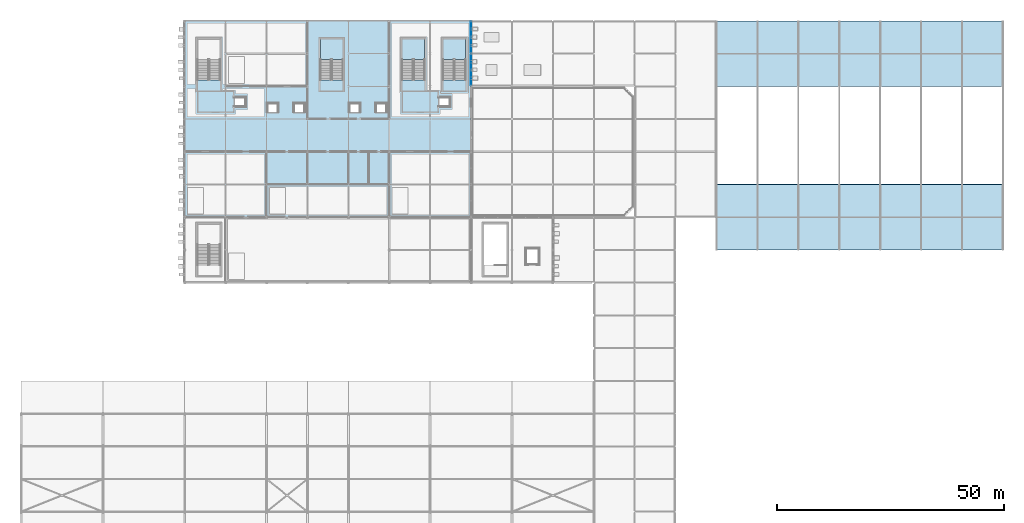
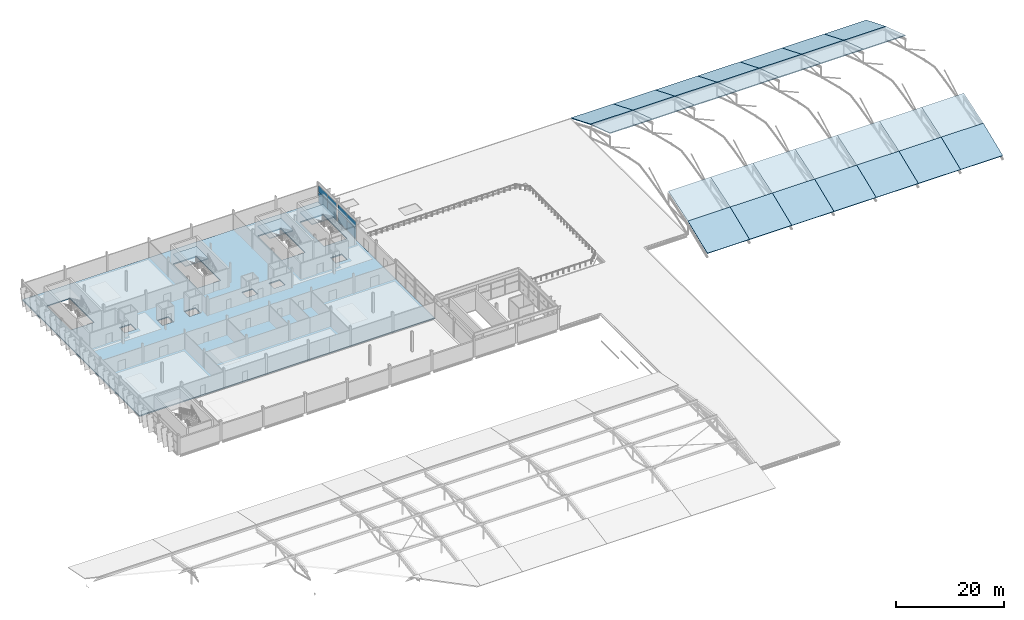
# One storey, part 56 of 78: 32 slabs, 8 plates, 5 elements without a shape of their own.
"""IFC4 building model written with IfcOpenShell, lengths in metres."""

from ifc_helpers import new_model, si_unit, direction, frame, origin, origin_2d, place, context, subcontext, project, spatial, polyline, rectangle, outline, extrude, material, layer, layer_set, type_object, element, aggregate, save


model = new_model("IFC4")

# Units and contexts
model_context = context("Model", 3, precision=1e-05, world=origin(), true_north=direction((0.0, 1.0)))
body_context = subcontext(model_context, "Body", "Model", "MODEL_VIEW")
ifc_project = project(units=[si_unit("LENGTHUNIT", "METRE"), si_unit("AREAUNIT", "SQUARE_METRE"), si_unit("VOLUMEUNIT", "CUBIC_METRE"), si_unit("PLANEANGLEUNIT", "RADIAN"), si_unit("MASSUNIT", "GRAM", prefix="KILO")], contexts=[model_context])

# Site, building, storey
site_placement = place(None, origin())
site = spatial("IfcSite", under=ifc_project, at=site_placement, CompositionType="ELEMENT")
building_placement = place(site_placement, origin())
building = spatial("IfcBuilding", under=site, at=building_placement, Name="Celestram Park Convention Centre", CompositionType="ELEMENT")
storey_placement = place(building_placement, frame((0.0, 0.0, 19.800048828125)))
storey = spatial("IfcBuildingStorey", under=building, at=storey_placement, Name="L04", CompositionType="ELEMENT", Elevation=19.800048828125)

# Curtain wall, plates
ifc_material_1 = material(Name="Anodised Aluminium Alloy 6063-T6", Category="aluminium")
ifc_layer_1 = layer(ifc_material_1, 0.179931640625)
ifc_layer_set_1 = layer_set([ifc_layer_1], Name="Anodised Aluminium Alloy 6063-T6")
curtain_wall_type_1 = type_object("IfcCurtainWallType", Name="ARC-CW-685X390", PredefinedType="NOTDEFINED", material=ifc_layer_set_1)
curtain_wall_1_placement = place(storey_placement, origin())
curtain_wall_1 = element("IfcCurtainWall", 1, at=curtain_wall_1_placement, inside=storey, type_object=curtain_wall_type_1, Name="Unitised curtain wall CU-L04-237", PredefinedType="NOTDEFINED")
ifc_material_2 = material(Name="Insulated Glazing Unit 28 mm", Category="glass")
ifc_layer_2 = layer(ifc_material_2, 0.028076171875)
ifc_layer_set_2 = layer_set([ifc_layer_2], Name="Insulated Glazing Unit 28 mm")
plate_type = type_object("IfcPlateType", Name="ARC-CWP-IGU28", PredefinedType="CURTAIN_PANEL", material=ifc_layer_set_2)
plate_1_placement = place(storey_placement, frame((99.0, 163.69580078125, 0.06005859375), z_axis=(0.0, 0.0, 1.0), x_axis=(0.0, -1.0, 0.0)))
plate_1 = element("IfcPlate", 2, at=plate_1_placement, type_object=plate_type, Name="CW-68X39 panel 1.1", PredefinedType="CURTAIN_PANEL", context=body_context, shape_type="SweptSolid", body=[
    extrude(rectangle(XDim=3.326416015625, YDim=0.028076171875, at=origin_2d()), origin(), (0.0, 0.0, 1.0), 2.251953125),
])
plate_2_placement = place(storey_placement, frame((99.0, 163.69580078125, 2.3720703125), z_axis=(0.0, 0.0, 1.0), x_axis=(0.0, -1.0, 0.0)))
plate_2 = element("IfcPlate", 3, at=plate_2_placement, type_object=plate_type, Name="CW-68X39 panel 1.2", PredefinedType="CURTAIN_PANEL", context=body_context, shape_type="SweptSolid", body=[
    extrude(rectangle(XDim=3.326416015625, YDim=0.028076171875, at=origin_2d()), origin(), (0.0, 0.0, 1.0), 1.471923828125),
])
plate_3_placement = place(storey_placement, frame((99.0, 160.30419921875, 0.06005859375), z_axis=(0.0, 0.0, 1.0), x_axis=(0.0, -1.0, 0.0)))
plate_3 = element("IfcPlate", 4, at=plate_3_placement, type_object=plate_type, Name="CW-68X39 panel 2.1", PredefinedType="CURTAIN_PANEL", context=body_context, shape_type="SweptSolid", body=[
    extrude(rectangle(XDim=3.326416015625, YDim=0.028076171875, at=origin_2d()), origin(), (0.0, 0.0, 1.0), 2.251953125),
])
plate_4_placement = place(storey_placement, frame((99.0, 160.30419921875, 2.3720703125), z_axis=(0.0, 0.0, 1.0), x_axis=(0.0, -1.0, 0.0)))
plate_4 = element("IfcPlate", 5, at=plate_4_placement, type_object=plate_type, Name="CW-68X39 panel 2.2", PredefinedType="CURTAIN_PANEL", context=body_context, shape_type="SweptSolid", body=[
    extrude(rectangle(XDim=3.326416015625, YDim=0.028076171875, at=origin_2d()), origin(), (0.0, 0.0, 1.0), 1.471923828125),
])
aggregate(curtain_wall_1, [plate_1, plate_2, plate_3, plate_4])

ifc_layer_3 = layer(ifc_material_1, 0.179931640625)
ifc_layer_set_3 = layer_set([ifc_layer_3], Name="Anodised Aluminium Alloy 6063-T6")
curtain_wall_type_2 = type_object("IfcCurtainWallType", Name="ARC-CW-685X401", PredefinedType="NOTDEFINED", material=ifc_layer_set_3)
curtain_wall_2_placement = place(storey_placement, origin())
curtain_wall_2 = element("IfcCurtainWall", 6, at=curtain_wall_2_placement, inside=storey, type_object=curtain_wall_type_2, Name="Unitised curtain wall CU-L04-238", PredefinedType="NOTDEFINED")
plate_5_placement = place(storey_placement, frame((99.0, 156.495849609375, 0.06005859375), z_axis=(0.0, 0.0, 1.0), x_axis=(0.0, -1.0, 0.0)))
plate_5 = element("IfcPlate", 7, at=plate_5_placement, type_object=plate_type, Name="CW-68X40 panel 1.1", PredefinedType="CURTAIN_PANEL", context=body_context, shape_type="SweptSolid", body=[
    extrude(rectangle(XDim=3.326416015625, YDim=0.028076171875, at=origin_2d()), origin(), (0.0, 0.0, 1.0), 2.31591796875),
])
plate_6_placement = place(storey_placement, frame((99.0, 156.495849609375, 2.43603515625), z_axis=(0.0, 0.0, 1.0), x_axis=(0.0, -1.0, 0.0)))
plate_6 = element("IfcPlate", 8, at=plate_6_placement, type_object=plate_type, Name="CW-68X40 panel 1.2", PredefinedType="CURTAIN_PANEL", context=body_context, shape_type="SweptSolid", body=[
    extrude(rectangle(XDim=3.326416015625, YDim=0.028076171875, at=origin_2d()), origin(), (0.0, 0.0, 1.0), 1.513916015625),
])
plate_7_placement = place(storey_placement, frame((99.0, 153.104248046875, 0.06005859375), z_axis=(0.0, 0.0, 1.0), x_axis=(0.0, -1.0, 0.0)))
plate_7 = element("IfcPlate", 9, at=plate_7_placement, type_object=plate_type, Name="CW-68X40 panel 2.1", PredefinedType="CURTAIN_PANEL", context=body_context, shape_type="SweptSolid", body=[
    extrude(rectangle(XDim=3.326416015625, YDim=0.028076171875, at=origin_2d()), origin(), (0.0, 0.0, 1.0), 2.31591796875),
])
plate_8_placement = place(storey_placement, frame((99.0, 153.104248046875, 2.43603515625), z_axis=(0.0, 0.0, 1.0), x_axis=(0.0, -1.0, 0.0)))
plate_8 = element("IfcPlate", 10, at=plate_8_placement, type_object=plate_type, Name="CW-68X40 panel 2.2", PredefinedType="CURTAIN_PANEL", context=body_context, shape_type="SweptSolid", body=[
    extrude(rectangle(XDim=3.326416015625, YDim=0.028076171875, at=origin_2d()), origin(), (0.0, 0.0, 1.0), 1.513916015625),
])
aggregate(curtain_wall_2, [plate_5, plate_6, plate_7, plate_8])

# Slabs
ifc_material_3 = material(Name="Concrete C35/45", Category="concrete")
ifc_layer_4 = layer(ifc_material_3, 0.159912109375)
ifc_layer_set_4 = layer_set([ifc_layer_4], Name="Concrete C35/45")
slab_type_1 = type_object("IfcSlabType", Name="STR-SLB-ARCH160", PredefinedType="ROOF", material=ifc_layer_set_4)
slab_1_placement = place(storey_placement, frame((153.0, 115.199951171875, 0.0), z_axis=(0.0, -0.378565630871, 0.925574450341), x_axis=(1.0, 0.0, 0.0)))
element("IfcSlab", 11, at=slab_1_placement, inside=storey, type_object=slab_type_1, Name="V2 arched roof deck facet 1.1", PredefinedType="ROOF", context=body_context, shape_type="SweptSolid", body=[
    extrude(outline(polyline([(0.0, 0.0), (9.0, 0.0), (9.0, 7.778900086562414), (0.0, 7.778900086562414), (0.0, 0.0)])), origin(), (0.0, 0.0, -1.0), 0.159912109375),
])
slab_2_placement = place(storey_placement, frame((153.0, 122.39990234375, 2.94482421875), z_axis=(0.0, -0.312873233138, 0.94979489364), x_axis=(1.0, 0.0, 0.0)))
element("IfcSlab", 12, at=slab_2_placement, inside=storey, type_object=slab_type_1, Name="V2 arched roof deck facet 1.2", PredefinedType="ROOF", context=body_context, shape_type="SweptSolid", body=[
    extrude(outline(polyline([(0.0, 0.0), (9.0, 0.0), (9.0, 7.580789663863402), (0.0, 7.580789663863402), (0.0, 0.0)])), origin(), (0.0, 0.0, -1.0), 0.159912109375),
])
slab_3_placement = place(storey_placement, frame((153.0, 151.199951171875, 5.316650390625), z_axis=(0.0, 0.312882803678, 0.949791740943), x_axis=(1.0, 0.0, 0.0)))
element("IfcSlab", 13, at=slab_3_placement, inside=storey, type_object=slab_type_1, Name="V2 arched roof deck facet 1.7", PredefinedType="ROOF", context=body_context, shape_type="SweptSolid", body=[
    extrude(outline(polyline([(0.0, 0.0), (9.0, 0.0), (9.0, 7.580557780729292), (0.0, 7.580557780729292), (0.0, 0.0)])), origin(), (0.0, 0.0, -1.0), 0.159912109375),
])
slab_4_placement = place(storey_placement, frame((153.0, 158.39990234375, 2.94482421875), z_axis=(0.0, 0.378554634159, 0.925578947987), x_axis=(1.0, 0.0, 0.0)))
element("IfcSlab", 14, at=slab_4_placement, inside=storey, type_object=slab_type_1, Name="V2 arched roof deck facet 1.8", PredefinedType="ROOF", context=body_context, shape_type="SweptSolid", body=[
    extrude(outline(polyline([(0.0, 0.0), (9.0, 0.0), (9.0, 7.779126057436241), (0.0, 7.779126057436241), (0.0, 0.0)])), origin(), (0.0, 0.0, -1.0), 0.159912109375),
])
slab_5_placement = place(storey_placement, frame((162.0, 115.199951171875, 0.0), z_axis=(0.0, -0.378565630871, 0.925574450341), x_axis=(1.0, 0.0, 0.0)))
element("IfcSlab", 15, at=slab_5_placement, inside=storey, type_object=slab_type_1, Name="V2 arched roof deck facet 2.1", PredefinedType="ROOF", context=body_context, shape_type="SweptSolid", body=[
    extrude(outline(polyline([(0.0, 0.0), (9.0, 0.0), (9.0, 7.778900086562414), (0.0, 7.778900086562414), (0.0, 0.0)])), origin(), (0.0, 0.0, -1.0), 0.159912109375),
])
slab_6_placement = place(storey_placement, frame((162.0, 122.39990234375, 2.94482421875), z_axis=(0.0, -0.312873233138, 0.94979489364), x_axis=(1.0, 0.0, 0.0)))
element("IfcSlab", 16, at=slab_6_placement, inside=storey, type_object=slab_type_1, Name="V2 arched roof deck facet 2.2", PredefinedType="ROOF", context=body_context, shape_type="SweptSolid", body=[
    extrude(outline(polyline([(0.0, 0.0), (9.0, 0.0), (9.0, 7.580789663863402), (0.0, 7.580789663863402), (0.0, 0.0)])), origin(), (0.0, 0.0, -1.0), 0.159912109375),
])
slab_7_placement = place(storey_placement, frame((162.0, 151.199951171875, 5.316650390625), z_axis=(0.0, 0.312882803678, 0.949791740943), x_axis=(1.0, 0.0, 0.0)))
element("IfcSlab", 17, at=slab_7_placement, inside=storey, type_object=slab_type_1, Name="V2 arched roof deck facet 2.7", PredefinedType="ROOF", context=body_context, shape_type="SweptSolid", body=[
    extrude(outline(polyline([(0.0, 0.0), (9.0, 0.0), (9.0, 7.580557780729292), (0.0, 7.580557780729292), (0.0, 0.0)])), origin(), (0.0, 0.0, -1.0), 0.159912109375),
])
slab_8_placement = place(storey_placement, frame((162.0, 158.39990234375, 2.94482421875), z_axis=(0.0, 0.378554634159, 0.925578947987), x_axis=(1.0, 0.0, 0.0)))
element("IfcSlab", 18, at=slab_8_placement, inside=storey, type_object=slab_type_1, Name="V2 arched roof deck facet 2.8", PredefinedType="ROOF", context=body_context, shape_type="SweptSolid", body=[
    extrude(outline(polyline([(0.0, 0.0), (9.0, 0.0), (9.0, 7.779126057436241), (0.0, 7.779126057436241), (0.0, 0.0)])), origin(), (0.0, 0.0, -1.0), 0.159912109375),
])
slab_9_placement = place(storey_placement, frame((171.0, 115.199951171875, 0.0), z_axis=(0.0, -0.378565630871, 0.925574450341), x_axis=(1.0, 0.0, 0.0)))
element("IfcSlab", 19, at=slab_9_placement, inside=storey, type_object=slab_type_1, Name="V2 arched roof deck facet 3.1", PredefinedType="ROOF", context=body_context, shape_type="SweptSolid", body=[
    extrude(outline(polyline([(0.0, 0.0), (9.0, 0.0), (9.0, 7.778900086562414), (0.0, 7.778900086562414), (0.0, 0.0)])), origin(), (0.0, 0.0, -1.0), 0.159912109375),
])
slab_10_placement = place(storey_placement, frame((171.0, 122.39990234375, 2.94482421875), z_axis=(0.0, -0.312873233138, 0.94979489364), x_axis=(1.0, 0.0, 0.0)))
element("IfcSlab", 20, at=slab_10_placement, inside=storey, type_object=slab_type_1, Name="V2 arched roof deck facet 3.2", PredefinedType="ROOF", context=body_context, shape_type="SweptSolid", body=[
    extrude(outline(polyline([(0.0, 0.0), (9.0, 0.0), (9.0, 7.580789663863402), (0.0, 7.580789663863402), (0.0, 0.0)])), origin(), (0.0, 0.0, -1.0), 0.159912109375),
])
slab_11_placement = place(storey_placement, frame((171.0, 151.199951171875, 5.316650390625), z_axis=(0.0, 0.312882803678, 0.949791740943), x_axis=(1.0, 0.0, 0.0)))
element("IfcSlab", 21, at=slab_11_placement, inside=storey, type_object=slab_type_1, Name="V2 arched roof deck facet 3.7", PredefinedType="ROOF", context=body_context, shape_type="SweptSolid", body=[
    extrude(outline(polyline([(0.0, 0.0), (9.0, 0.0), (9.0, 7.580557780729292), (0.0, 7.580557780729292), (0.0, 0.0)])), origin(), (0.0, 0.0, -1.0), 0.159912109375),
])
slab_12_placement = place(storey_placement, frame((171.0, 158.39990234375, 2.94482421875), z_axis=(0.0, 0.378554634159, 0.925578947987), x_axis=(1.0, 0.0, 0.0)))
element("IfcSlab", 22, at=slab_12_placement, inside=storey, type_object=slab_type_1, Name="V2 arched roof deck facet 3.8", PredefinedType="ROOF", context=body_context, shape_type="SweptSolid", body=[
    extrude(outline(polyline([(0.0, 0.0), (9.0, 0.0), (9.0, 7.779126057436241), (0.0, 7.779126057436241), (0.0, 0.0)])), origin(), (0.0, 0.0, -1.0), 0.159912109375),
])
slab_13_placement = place(storey_placement, frame((180.0, 115.199951171875, 0.0), z_axis=(0.0, -0.378565630871, 0.925574450341), x_axis=(1.0, 0.0, 0.0)))
element("IfcSlab", 23, at=slab_13_placement, inside=storey, type_object=slab_type_1, Name="V2 arched roof deck facet 4.1", PredefinedType="ROOF", context=body_context, shape_type="SweptSolid", body=[
    extrude(outline(polyline([(0.0, 0.0), (9.0, 0.0), (9.0, 7.778900086562414), (0.0, 7.778900086562414), (0.0, 0.0)])), origin(), (0.0, 0.0, -1.0), 0.159912109375),
])
slab_14_placement = place(storey_placement, frame((180.0, 122.39990234375, 2.94482421875), z_axis=(0.0, -0.312873233138, 0.94979489364), x_axis=(1.0, 0.0, 0.0)))
element("IfcSlab", 24, at=slab_14_placement, inside=storey, type_object=slab_type_1, Name="V2 arched roof deck facet 4.2", PredefinedType="ROOF", context=body_context, shape_type="SweptSolid", body=[
    extrude(outline(polyline([(0.0, 0.0), (9.0, 0.0), (9.0, 7.580789663863402), (0.0, 7.580789663863402), (0.0, 0.0)])), origin(), (0.0, 0.0, -1.0), 0.159912109375),
])
slab_15_placement = place(storey_placement, frame((180.0, 151.199951171875, 5.316650390625), z_axis=(0.0, 0.312882803678, 0.949791740943), x_axis=(1.0, 0.0, 0.0)))
element("IfcSlab", 25, at=slab_15_placement, inside=storey, type_object=slab_type_1, Name="V2 arched roof deck facet 4.7", PredefinedType="ROOF", context=body_context, shape_type="SweptSolid", body=[
    extrude(outline(polyline([(0.0, 0.0), (9.0, 0.0), (9.0, 7.580557780729292), (0.0, 7.580557780729292), (0.0, 0.0)])), origin(), (0.0, 0.0, -1.0), 0.159912109375),
])
slab_16_placement = place(storey_placement, frame((180.0, 158.39990234375, 2.94482421875), z_axis=(0.0, 0.378554634159, 0.925578947987), x_axis=(1.0, 0.0, 0.0)))
element("IfcSlab", 26, at=slab_16_placement, inside=storey, type_object=slab_type_1, Name="V2 arched roof deck facet 4.8", PredefinedType="ROOF", context=body_context, shape_type="SweptSolid", body=[
    extrude(outline(polyline([(0.0, 0.0), (9.0, 0.0), (9.0, 7.779126057436241), (0.0, 7.779126057436241), (0.0, 0.0)])), origin(), (0.0, 0.0, -1.0), 0.159912109375),
])
slab_17_placement = place(storey_placement, frame((189.0, 115.199951171875, 0.0), z_axis=(0.0, -0.378565630871, 0.925574450341), x_axis=(1.0, 0.0, 0.0)))
element("IfcSlab", 27, at=slab_17_placement, inside=storey, type_object=slab_type_1, Name="V2 arched roof deck facet 5.1", PredefinedType="ROOF", context=body_context, shape_type="SweptSolid", body=[
    extrude(outline(polyline([(0.0, 0.0), (9.0, 0.0), (9.0, 7.778900086562414), (0.0, 7.778900086562414), (0.0, 0.0)])), origin(), (0.0, 0.0, -1.0), 0.159912109375),
])
slab_18_placement = place(storey_placement, frame((189.0, 122.39990234375, 2.94482421875), z_axis=(0.0, -0.312873233138, 0.94979489364), x_axis=(1.0, 0.0, 0.0)))
element("IfcSlab", 28, at=slab_18_placement, inside=storey, type_object=slab_type_1, Name="V2 arched roof deck facet 5.2", PredefinedType="ROOF", context=body_context, shape_type="SweptSolid", body=[
    extrude(outline(polyline([(0.0, 0.0), (9.0, 0.0), (9.0, 7.580789663863402), (0.0, 7.580789663863402), (0.0, 0.0)])), origin(), (0.0, 0.0, -1.0), 0.159912109375),
])
slab_19_placement = place(storey_placement, frame((189.0, 151.199951171875, 5.316650390625), z_axis=(0.0, 0.312882803678, 0.949791740943), x_axis=(1.0, 0.0, 0.0)))
element("IfcSlab", 29, at=slab_19_placement, inside=storey, type_object=slab_type_1, Name="V2 arched roof deck facet 5.7", PredefinedType="ROOF", context=body_context, shape_type="SweptSolid", body=[
    extrude(outline(polyline([(0.0, 0.0), (9.0, 0.0), (9.0, 7.580557780729292), (0.0, 7.580557780729292), (0.0, 0.0)])), origin(), (0.0, 0.0, -1.0), 0.159912109375),
])
slab_20_placement = place(storey_placement, frame((189.0, 158.39990234375, 2.94482421875), z_axis=(0.0, 0.378554634159, 0.925578947987), x_axis=(1.0, 0.0, 0.0)))
element("IfcSlab", 30, at=slab_20_placement, inside=storey, type_object=slab_type_1, Name="V2 arched roof deck facet 5.8", PredefinedType="ROOF", context=body_context, shape_type="SweptSolid", body=[
    extrude(outline(polyline([(0.0, 0.0), (9.0, 0.0), (9.0, 7.779126057436241), (0.0, 7.779126057436241), (0.0, 0.0)])), origin(), (0.0, 0.0, -1.0), 0.159912109375),
])
slab_21_placement = place(storey_placement, frame((198.0, 115.199951171875, 0.0), z_axis=(0.0, -0.378565630871, 0.925574450341), x_axis=(1.0, 0.0, 0.0)))
element("IfcSlab", 31, at=slab_21_placement, inside=storey, type_object=slab_type_1, Name="V2 arched roof deck facet 6.1", PredefinedType="ROOF", context=body_context, shape_type="SweptSolid", body=[
    extrude(outline(polyline([(0.0, 0.0), (9.0, 0.0), (9.0, 7.778900086562414), (0.0, 7.778900086562414), (0.0, 0.0)])), origin(), (0.0, 0.0, -1.0), 0.159912109375),
])
slab_22_placement = place(storey_placement, frame((198.0, 122.39990234375, 2.94482421875), z_axis=(0.0, -0.312873233138, 0.94979489364), x_axis=(1.0, 0.0, 0.0)))
element("IfcSlab", 32, at=slab_22_placement, inside=storey, type_object=slab_type_1, Name="V2 arched roof deck facet 6.2", PredefinedType="ROOF", context=body_context, shape_type="SweptSolid", body=[
    extrude(outline(polyline([(0.0, 0.0), (9.0, 0.0), (9.0, 7.580789663863402), (0.0, 7.580789663863402), (0.0, 0.0)])), origin(), (0.0, 0.0, -1.0), 0.159912109375),
])
slab_23_placement = place(storey_placement, frame((198.0, 151.199951171875, 5.316650390625), z_axis=(0.0, 0.312882803678, 0.949791740943), x_axis=(1.0, 0.0, 0.0)))
element("IfcSlab", 33, at=slab_23_placement, inside=storey, type_object=slab_type_1, Name="V2 arched roof deck facet 6.7", PredefinedType="ROOF", context=body_context, shape_type="SweptSolid", body=[
    extrude(outline(polyline([(0.0, 0.0), (9.0, 0.0), (9.0, 7.580557780729292), (0.0, 7.580557780729292), (0.0, 0.0)])), origin(), (0.0, 0.0, -1.0), 0.159912109375),
])
slab_24_placement = place(storey_placement, frame((198.0, 158.39990234375, 2.94482421875), z_axis=(0.0, 0.378554634159, 0.925578947987), x_axis=(1.0, 0.0, 0.0)))
element("IfcSlab", 34, at=slab_24_placement, inside=storey, type_object=slab_type_1, Name="V2 arched roof deck facet 6.8", PredefinedType="ROOF", context=body_context, shape_type="SweptSolid", body=[
    extrude(outline(polyline([(0.0, 0.0), (9.0, 0.0), (9.0, 7.779126057436241), (0.0, 7.779126057436241), (0.0, 0.0)])), origin(), (0.0, 0.0, -1.0), 0.159912109375),
])
slab_25_placement = place(storey_placement, frame((207.0, 115.199951171875, 0.0), z_axis=(0.0, -0.378565630871, 0.925574450341), x_axis=(1.0, 0.0, 0.0)))
element("IfcSlab", 35, at=slab_25_placement, inside=storey, type_object=slab_type_1, Name="V2 arched roof deck facet 7.1", PredefinedType="ROOF", context=body_context, shape_type="SweptSolid", body=[
    extrude(outline(polyline([(0.0, 0.0), (9.0, 0.0), (9.0, 7.778900086562414), (0.0, 7.778900086562414), (0.0, 0.0)])), origin(), (0.0, 0.0, -1.0), 0.159912109375),
])
slab_26_placement = place(storey_placement, frame((207.0, 122.39990234375, 2.94482421875), z_axis=(0.0, -0.312873233138, 0.94979489364), x_axis=(1.0, 0.0, 0.0)))
element("IfcSlab", 36, at=slab_26_placement, inside=storey, type_object=slab_type_1, Name="V2 arched roof deck facet 7.2", PredefinedType="ROOF", context=body_context, shape_type="SweptSolid", body=[
    extrude(outline(polyline([(0.0, 0.0), (9.0, 0.0), (9.0, 7.580789663863402), (0.0, 7.580789663863402), (0.0, 0.0)])), origin(), (0.0, 0.0, -1.0), 0.159912109375),
])
slab_27_placement = place(storey_placement, frame((207.0, 151.199951171875, 5.316650390625), z_axis=(0.0, 0.312882803678, 0.949791740943), x_axis=(1.0, 0.0, 0.0)))
element("IfcSlab", 37, at=slab_27_placement, inside=storey, type_object=slab_type_1, Name="V2 arched roof deck facet 7.7", PredefinedType="ROOF", context=body_context, shape_type="SweptSolid", body=[
    extrude(outline(polyline([(0.0, 0.0), (9.0, 0.0), (9.0, 7.580557780729292), (0.0, 7.580557780729292), (0.0, 0.0)])), origin(), (0.0, 0.0, -1.0), 0.159912109375),
])
slab_28_placement = place(storey_placement, frame((207.0, 158.39990234375, 2.94482421875), z_axis=(0.0, 0.378554634159, 0.925578947987), x_axis=(1.0, 0.0, 0.0)))
element("IfcSlab", 38, at=slab_28_placement, inside=storey, type_object=slab_type_1, Name="V2 arched roof deck facet 7.8", PredefinedType="ROOF", context=body_context, shape_type="SweptSolid", body=[
    extrude(outline(polyline([(0.0, 0.0), (9.0, 0.0), (9.0, 7.779126057436241), (0.0, 7.779126057436241), (0.0, 0.0)])), origin(), (0.0, 0.0, -1.0), 0.159912109375),
])
ifc_layer_5 = layer(ifc_material_3, 0.25)
ifc_layer_set_5 = layer_set([ifc_layer_5], Name="Concrete C35/45")
slab_type_2 = type_object("IfcSlabType", Name="STR-SLB-FLR250", PredefinedType="FLOOR", material=ifc_layer_set_5)
slab_29_placement = place(storey_placement, frame((0.0, 0.0, -0.25)))
element("IfcSlab", 39, at=slab_29_placement, inside=storey, type_object=slab_type_2, Name="Floor slab L04-MTG", PredefinedType="FLOOR", context=body_context, shape_type="SweptSolid", body=[
    extrude(outline(polyline([(36.0, 122.39990234375), (36.0, 165.60009765625), (99.0, 165.60009765625), (99.0, 122.39990234375), (36.0, 122.39990234375)]), holes=[polyline([(56.550048828125, 145.449951171875), (56.550048828125, 147.35009765625), (54.25, 147.35009765625), (54.25, 145.449951171875), (56.550048828125, 145.449951171875)]), polyline([(62.35009765625, 145.449951171875), (62.35009765625, 147.35009765625), (60.050048828125, 147.35009765625), (60.050048828125, 145.449951171875), (62.35009765625, 145.449951171875)]), polyline([(74.550048828125, 147.35009765625), (72.25, 147.35009765625), (72.25, 145.449951171875), (74.550048828125, 145.449951171875), (74.550048828125, 147.35009765625)]), polyline([(49.39990234375, 146.824951171875), (49.39990234375, 148.77490234375), (47.0, 148.77490234375), (47.0, 146.824951171875), (49.39990234375, 146.824951171875)]), polyline([(43.800048828125, 161.60009765625), (38.840087890625, 161.60009765625), (38.840087890625, 152.60595703125), (43.800048828125, 152.60595703125), (43.800048828125, 161.60009765625)]), polyline([(65.840087890625, 161.60009765625), (65.840087890625, 152.60595703125), (70.800048828125, 152.60595703125), (70.800048828125, 161.60009765625), (65.840087890625, 161.60009765625)]), polyline([(80.35009765625, 145.449951171875), (80.35009765625, 147.35009765625), (78.050048828125, 147.35009765625), (78.050048828125, 145.449951171875), (80.35009765625, 145.449951171875)]), polyline([(94.39990234375, 146.824951171875), (94.39990234375, 148.77490234375), (92.0, 148.77490234375), (92.0, 146.824951171875), (94.39990234375, 146.824951171875)]), polyline([(88.800048828125, 161.60009765625), (83.840087890625, 161.60009765625), (83.840087890625, 152.60595703125), (88.800048828125, 152.60595703125), (88.800048828125, 161.60009765625)]), polyline([(97.800048828125, 161.60009765625), (92.840087890625, 161.60009765625), (92.840087890625, 152.60595703125), (97.800048828125, 152.60595703125), (97.800048828125, 161.60009765625)])]), origin(), (0.0, 0.0, 1.0), 0.25),
])

# Stair, slab
ifc_material_4 = material(Name="Precast Concrete C40/50", Category="concrete")
stair_type = type_object("IfcStairType", Name="ARC-STR-DOG45", PredefinedType="HALF_TURN_STAIR", material=ifc_material_4)
stair_1_placement = place(storey_placement, origin())
stair_1 = element("IfcStair", 40, at=stair_1_placement, inside=storey, type_object=stair_type, Name="L04 Core C2 stair ST-02", PredefinedType="HALF_TURN_STAIR")
ifc_layer_6 = layer(ifc_material_3, 0.199951171875)
ifc_layer_set_6 = layer_set([ifc_layer_6], Name="Concrete C35/45")
slab_type_3 = type_object("IfcSlabType", Name="STR-SLB-LND200", PredefinedType="LANDING", material=ifc_layer_set_6)
slab_30_placement = place(storey_placement, frame((0.0, 0.0, 2.050048828125)))
slab_30 = element("IfcSlab", 41, at=slab_30_placement, type_object=slab_type_3, Name="ST-02 landing 1", PredefinedType="LANDING", context=body_context, shape_type="SweptSolid", body=[
    extrude(outline(polyline([(88.800048828125, 157.073974609375), (88.800048828125, 161.60009765625), (83.840087890625, 161.60009765625), (83.840087890625, 157.073974609375), (88.800048828125, 157.073974609375)])), origin(), (0.0, 0.0, 1.0), 0.199951171875),
])
aggregate(stair_1, [slab_30])

stair_2_placement = place(storey_placement, origin())
stair_2 = element("IfcStair", 42, at=stair_2_placement, inside=storey, type_object=stair_type, Name="L04 Core S14 stair ST-14", PredefinedType="HALF_TURN_STAIR")
slab_31_placement = place(storey_placement, frame((0.0, 0.0, 2.050048828125)))
slab_31 = element("IfcSlab", 43, at=slab_31_placement, type_object=slab_type_3, Name="ST-14 landing 1", PredefinedType="LANDING", context=body_context, shape_type="SweptSolid", body=[
    extrude(outline(polyline([(70.800048828125, 157.073974609375), (70.800048828125, 161.60009765625), (65.840087890625, 161.60009765625), (65.840087890625, 157.073974609375), (70.800048828125, 157.073974609375)])), origin(), (0.0, 0.0, 1.0), 0.199951171875),
])
aggregate(stair_2, [slab_31])

stair_3_placement = place(storey_placement, origin())
stair_3 = element("IfcStair", 44, at=stair_3_placement, inside=storey, type_object=stair_type, Name="L04 Core S19 stair ST-19", PredefinedType="HALF_TURN_STAIR")
slab_32_placement = place(storey_placement, frame((0.0, 0.0, 2.050048828125)))
slab_32 = element("IfcSlab", 45, at=slab_32_placement, type_object=slab_type_3, Name="ST-19 landing 1", PredefinedType="LANDING", context=body_context, shape_type="SweptSolid", body=[
    extrude(outline(polyline([(97.800048828125, 157.073974609375), (97.800048828125, 161.60009765625), (92.840087890625, 161.60009765625), (92.840087890625, 157.073974609375), (97.800048828125, 157.073974609375)])), origin(), (0.0, 0.0, 1.0), 0.199951171875),
])
aggregate(stair_3, [slab_32])

save(model, "model.ifc")
